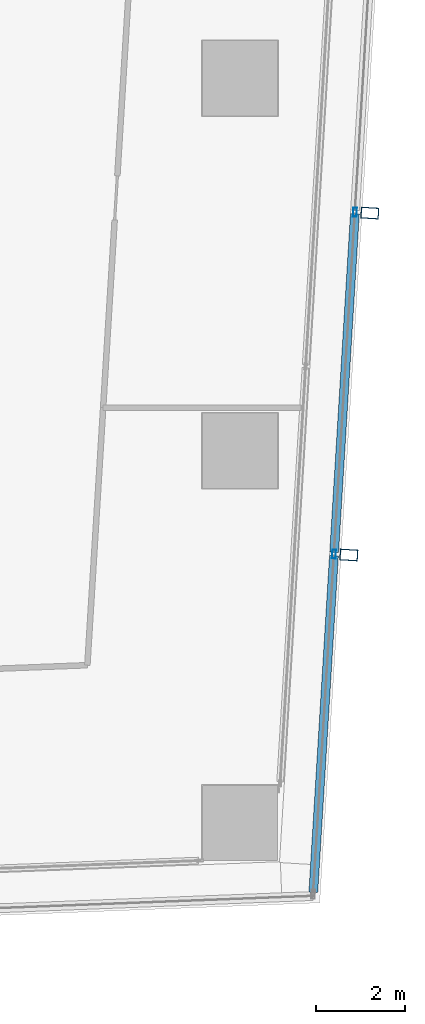
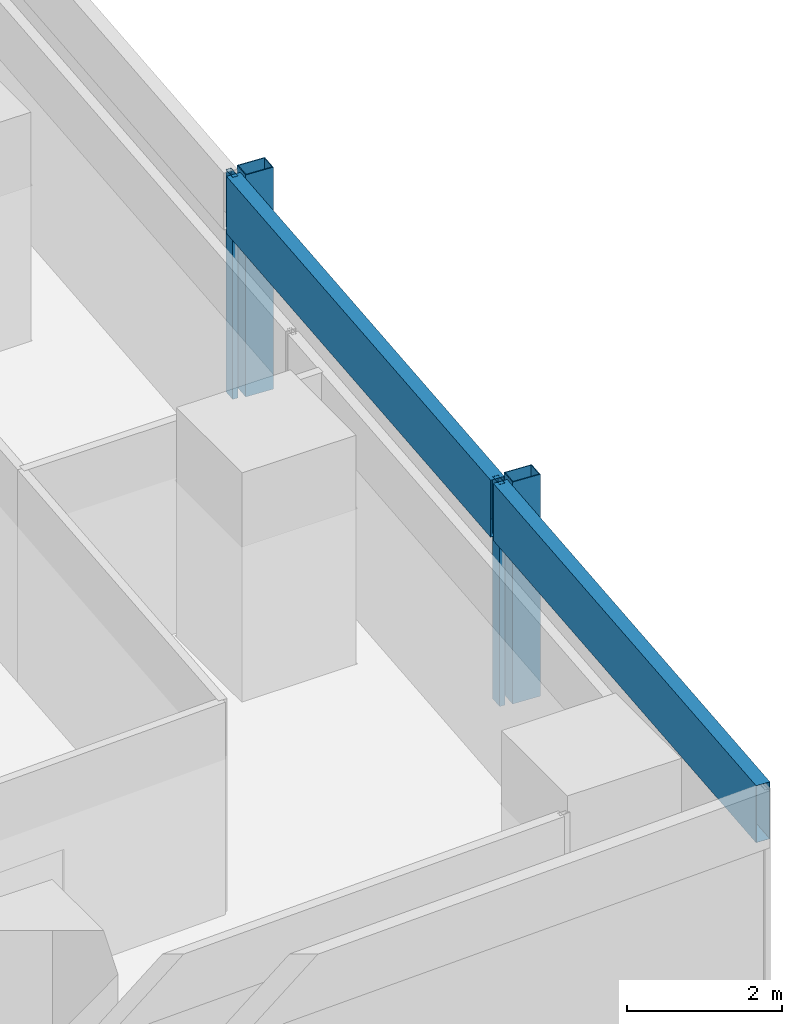
# One storey, part 23 of 40: 6 members, 1 element without a shape of its own.
"""IFC4 building model written with IfcOpenShell, lengths in metres."""

from ifc_helpers import new_model, si_unit, direction, frame, origin, origin_2d, place, context, subcontext, project, spatial, hollow_rectangle, extrude, material, material_profile, profile_set, type_object, element, aggregate, save


model = new_model("IFC4")

# Units and contexts
model_context = context("Model", 3, precision=1e-05, world=origin(), true_north=direction((0.0, 1.0)))
body_context = subcontext(model_context, "Body", "Model", "MODEL_VIEW")
ifc_project = project(units=[si_unit("LENGTHUNIT", "METRE"), si_unit("AREAUNIT", "SQUARE_METRE"), si_unit("VOLUMEUNIT", "CUBIC_METRE"), si_unit("PLANEANGLEUNIT", "RADIAN"), si_unit("MASSUNIT", "GRAM", prefix="KILO")], contexts=[model_context])

# Site, building, storey
site_placement = place(None, origin())
site = spatial("IfcSite", under=ifc_project, at=site_placement, CompositionType="ELEMENT")
building_placement = place(site_placement, origin())
building = spatial("IfcBuilding", under=site, at=building_placement, Name="Rekha Terrace Tower", CompositionType="ELEMENT")
storey_placement = place(building_placement, frame((0.0, 0.0, 106.550048828125)))
storey = spatial("IfcBuildingStorey", under=building, at=storey_placement, Name="L26", CompositionType="ELEMENT", Elevation=106.550048828125)

# Curtain wall, members
ifc_material_1 = material(Name="Aluminium framing", Category="aluminium")
curtain_wall_type = type_object("IfcCurtainWallType", Name="CW2 double skin outer glazing", PredefinedType="USERDEFINED", material=ifc_material_1)
curtain_wall_placement = place(storey_placement, origin())
curtain_wall = element("IfcCurtainWall", 1, at=curtain_wall_placement, inside=storey, type_object=curtain_wall_type, Name="CW2 double skin outer glazing", ObjectType="DOUBLE SKIN OUTER GLAZING", PredefinedType="USERDEFINED")
ifc_material_2 = material(Name="Steel S355 with fluorocarbon finish", Category="steel")
ifc_material_profile_1 = material_profile(ifc_material_2, hollow_rectangle(XDim=0.25, YDim=0.39990234375, WallThickness=0.012451171875, at=origin_2d()), Name="RHS400x250x12.5")
ifc_profile_set_1 = profile_set([ifc_material_profile_1], Name="Steel S355 with fluorocarbon finish")
member_type_1 = type_object("IfcMemberType", Name="BL1 facade blade RHS 400 x 250", PredefinedType="USERDEFINED", material=ifc_profile_set_1)
member_1_placement = place(storey_placement, frame((69.656005859375, 22.845703125, 0.0), z_axis=(0.0, 0.0, 1.0), x_axis=(0.061160031881, 0.998127973008, 0.0)))
member_1 = element("IfcMember", 2, at=member_1_placement, type_object=member_type_1, Name="Facade blade", ObjectType="FACADE BLADE", PredefinedType="USERDEFINED", context=body_context, shape_type="SweptSolid", body=[
    extrude(hollow_rectangle(XDim=0.25, YDim=0.39990234375, WallThickness=0.012451171875, at=origin_2d()), origin(), (0.0, 0.0, 1.0), 3.5),
])
member_2_placement = place(storey_placement, frame((70.128662109375, 30.557861328125, 0.0), z_axis=(0.0, 0.0, 1.0), x_axis=(0.061160031881, 0.998127973008, 0.0)))
member_2 = element("IfcMember", 3, at=member_2_placement, type_object=member_type_1, Name="Facade blade", ObjectType="FACADE BLADE", PredefinedType="USERDEFINED", context=body_context, shape_type="SweptSolid", body=[
    extrude(hollow_rectangle(XDim=0.25, YDim=0.39990234375, WallThickness=0.012451171875, at=origin_2d()), origin(), (0.0, 0.0, 1.0), 3.5),
])
ifc_material_3 = material(Name="Aluminium mullion section", Category="aluminium")
ifc_material_profile_2 = material_profile(ifc_material_3, hollow_rectangle(XDim=0.080078125, YDim=0.199951171875, WallThickness=0.00390625, at=origin_2d()), Name="AL RHS 80x200")
ifc_profile_set_2 = profile_set([ifc_material_profile_2], Name="Aluminium mullion section")
member_type_2 = type_object("IfcMemberType", Name="CW2 mullion RHS 80 x 200", PredefinedType="MULLION", material=ifc_profile_set_2)
member_3_placement = place(storey_placement, frame((69.32177734375, 22.8662109375, 0.0), z_axis=(0.0, 0.0, 1.0), x_axis=(-0.998127987024, 0.061159803131, 0.0)))
member_3 = element("IfcMember", 4, at=member_3_placement, type_object=member_type_2, Name="CW2 mullion 2", PredefinedType="MULLION", context=body_context, shape_type="SweptSolid", body=[
    extrude(hollow_rectangle(XDim=0.080078125, YDim=0.199951171875, WallThickness=0.00390625, at=origin_2d()), origin(), (0.0, 0.0, 1.0), 3.5),
])
member_4_placement = place(storey_placement, frame((69.794189453125, 30.578369140625, 0.0), z_axis=(0.0, 0.0, 1.0), x_axis=(-0.998127987024, 0.061159803131, 0.0)))
member_4 = element("IfcMember", 5, at=member_4_placement, type_object=member_type_2, Name="CW2 mullion 3", PredefinedType="MULLION", context=body_context, shape_type="SweptSolid", body=[
    extrude(hollow_rectangle(XDim=0.080078125, YDim=0.199951171875, WallThickness=0.00390625, at=origin_2d()), origin(), (0.0, 0.0, 1.0), 3.5),
])
ifc_material_4 = material(Name="Insulated aluminium spandrel box", Category="aluminium")
ifc_material_profile_3 = material_profile(ifc_material_4, hollow_rectangle(XDim=0.199951171875, YDim=0.89990234375, WallThickness=0.0029296875, at=origin_2d()), Name="AL SPANDREL BOX 200x900")
ifc_profile_set_3 = profile_set([ifc_material_profile_3], Name="Insulated aluminium spandrel box")
member_type_3 = type_object("IfcMemberType", Name="CW2 spandrel transom 200 x 900", PredefinedType="USERDEFINED", material=ifc_profile_set_3)
member_5_placement = place(storey_placement, frame((68.85400390625, 15.234130859375, 3.050048828125), z_axis=(0.061175320944, 0.998127036057, 0.0), x_axis=(-0.998127036057, 0.061175320944, 0.0)))
member_5 = element("IfcMember", 6, at=member_5_placement, type_object=member_type_3, Name="CW2 spandrel transom 1", ObjectType="TRANSOM", PredefinedType="USERDEFINED", context=body_context, shape_type="SweptSolid", body=[
    extrude(hollow_rectangle(XDim=0.199951171875, YDim=0.89990234375, WallThickness=0.0029296875, at=origin_2d()), origin(), (0.0, 0.0, 1.0), 7.6064453125),
])
member_6_placement = place(storey_placement, frame((69.32421875, 22.90625, 3.050048828125), z_axis=(0.061141871886, 0.998129085591, 0.0), x_axis=(-0.998129085591, 0.061141871886, 0.0)))
member_6 = element("IfcMember", 7, at=member_6_placement, type_object=member_type_3, Name="CW2 spandrel transom 2", ObjectType="TRANSOM", PredefinedType="USERDEFINED", context=body_context, shape_type="SweptSolid", body=[
    extrude(hollow_rectangle(XDim=0.199951171875, YDim=0.89990234375, WallThickness=0.0029296875, at=origin_2d()), origin(), (0.0, 0.0, 1.0), 7.646728515625),
])
aggregate(curtain_wall, [member_3, member_4, member_5, member_6, member_1, member_2])

save(model, "model.ifc")
